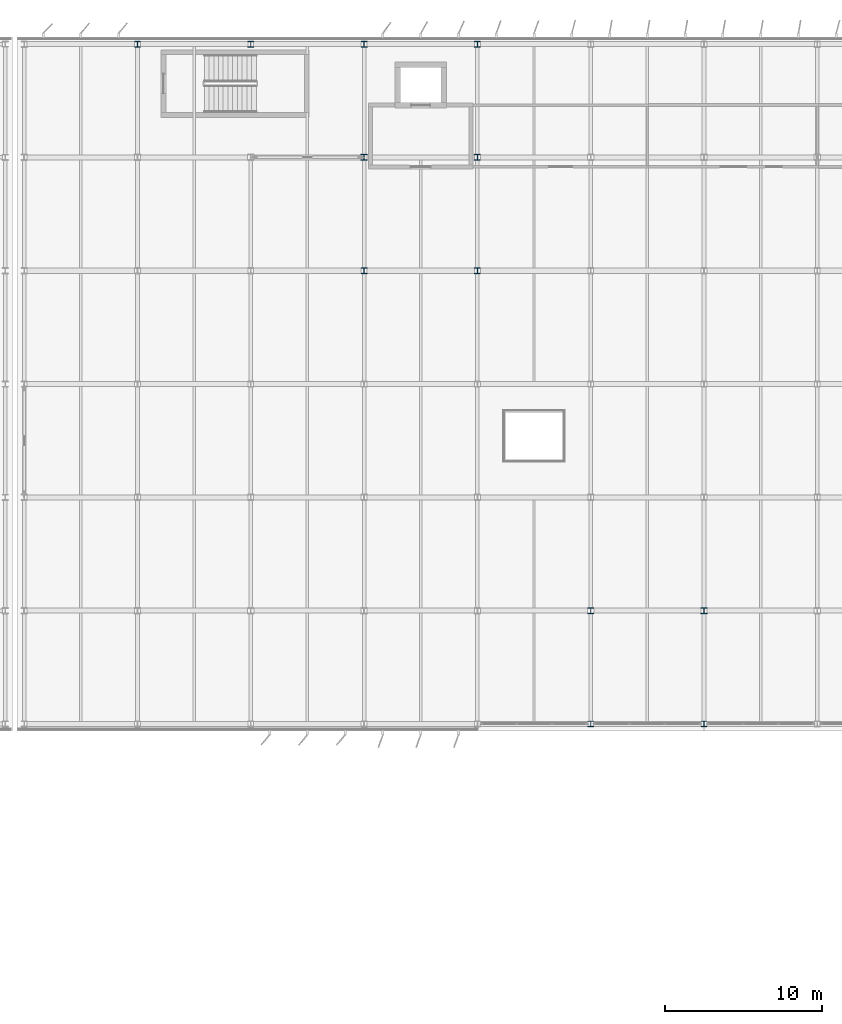
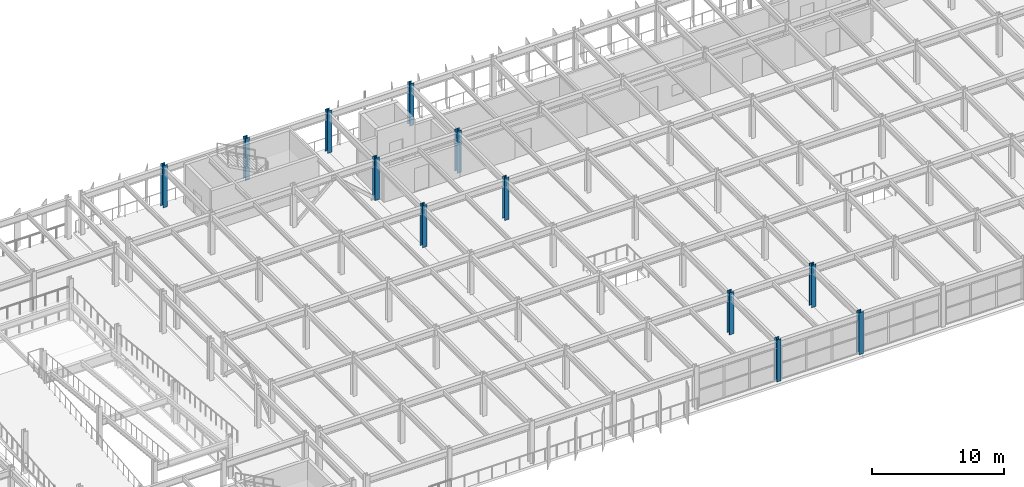
# One storey, part 4 of 80: 12 columns.
"""IFC4 building model written with IfcOpenShell, lengths in metres."""

from ifc_helpers import new_model, si_unit, direction, frame, origin, origin_2d, place, context, subcontext, project, spatial, i_section, extrude, material, material_profile, profile_set, type_object, element, save


model = new_model("IFC4")

# Units and contexts
model_context = context("Model", 3, precision=1e-05, world=origin(), true_north=direction((0.0, 1.0)))
body_context = subcontext(model_context, "Body", "Model", "MODEL_VIEW")
ifc_project = project(units=[si_unit("LENGTHUNIT", "METRE"), si_unit("AREAUNIT", "SQUARE_METRE"), si_unit("VOLUMEUNIT", "CUBIC_METRE"), si_unit("PLANEANGLEUNIT", "RADIAN"), si_unit("MASSUNIT", "GRAM", prefix="KILO")], contexts=[model_context])

# Site, building, storey
site_placement = place(None, origin())
site = spatial("IfcSite", under=ifc_project, at=site_placement, CompositionType="ELEMENT")
building_placement = place(site_placement, origin())
building = spatial("IfcBuilding", under=site, at=building_placement, Name="Vaelcorin Mobility Hub", CompositionType="ELEMENT")
storey_placement = place(building_placement, frame((0.0, 0.0, 9.300048828125)))
storey = spatial("IfcBuildingStorey", under=building, at=storey_placement, Name="L02", CompositionType="ELEMENT", Elevation=9.300048828125)

# Columns
ifc_material = material(Name="Steel ASTM A992 Grade 50", Category="steel")
ifc_material_profile_1 = material_profile(ifc_material, i_section(OverallWidth=0.373046875, OverallDepth=0.373046875, WebThickness=0.016357421875, FlangeThickness=0.026123046875, FilletRadius=0.014892578125, at=origin_2d()), Name="W14X132")
ifc_profile_set_1 = profile_set([ifc_material_profile_1], Name="Steel ASTM A992 Grade 50")
column_type_1 = type_object("IfcColumnType", Name="COL-W14X132", PredefinedType="COLUMN", material=ifc_profile_set_1)
for number, where, z_axis, x_axis, name in (
    (1, (43.199951171875, 120.0, 0.0), (0.0, 0.0, 1.0), (1.0, 0.0, 0.0), "Column V4-X02Y07 L02"),
    (2, (50.39990234375, 120.0, 0.0), (0.0, 0.0, 1.0), (1.0, 0.0, 0.0), "Column V4-X03Y07 L02"),
    (3, (57.60009765625, 105.60009765625, 0.0), (0.0, 0.0, 1.0), (1.0, 0.0, 0.0), "Column V4-X04Y05 L02"),
    (4, (57.60009765625, 120.0, 0.0), (0.0, 0.0, 1.0), (1.0, 0.0, 0.0), "Column V4-X04Y07 L02"),
    (5, (64.800048828125, 105.60009765625, 0.0), (0.0, 0.0, 1.0), (1.0, 0.0, 0.0), "Column V4-X05Y05 L02"),
    (6, (64.800048828125, 120.0, 0.0), (0.0, 0.0, 1.0), (1.0, 0.0, 0.0), "Column V4-X05Y07 L02"),
    (7, (72.0, 76.800048828125, 0.0), (0.0, 0.0, 1.0), (1.0, 0.0, 0.0), "Column V4-X06Y01 L02"),
    (8, (79.199951171875, 76.800048828125, 0.0), (0.0, 0.0, 1.0), (1.0, 0.0, 0.0), "Column V4-X07Y01 L02"),
):
    element("IfcColumn", number, at=place(storey_placement, frame(where, z_axis=z_axis, x_axis=x_axis)), inside=storey, type_object=column_type_1, Name=name, PredefinedType="COLUMN", context=body_context, shape_type="SweptSolid", body=[
        extrude(i_section(OverallWidth=0.373046875, OverallDepth=0.373046875, WebThickness=0.016357421875, FlangeThickness=0.026123046875, FilletRadius=0.014892578125, at=origin_2d()), origin(), (0.0, 0.0, 1.0), 3.89990234375),
    ])
ifc_material_profile_2 = material_profile(ifc_material, i_section(OverallWidth=0.39599609375, OverallDepth=0.381103515625, WebThickness=0.018798828125, FlangeThickness=0.0302734375, FilletRadius=0.014892578125, at=origin_2d()), Name="W14X159")
ifc_profile_set_2 = profile_set([ifc_material_profile_2], Name="Steel ASTM A992 Grade 50")
column_type_2 = type_object("IfcColumnType", Name="COL-W14X159", PredefinedType="COLUMN", material=ifc_profile_set_2)
for number, where, z_axis, x_axis, name in (
    (9, (57.60009765625, 112.800048828125, 0.0), (0.0, 0.0, 1.0), (1.0, 0.0, 0.0), "Column V4-X04Y06 L02"),
    (10, (64.800048828125, 112.800048828125, 0.0), (0.0, 0.0, 1.0), (1.0, 0.0, 0.0), "Column V4-X05Y06 L02"),
    (11, (72.0, 84.0, 0.0), (0.0, 0.0, 1.0), (1.0, 0.0, 0.0), "Column V4-X06Y02 L02"),
    (12, (79.199951171875, 84.0, 0.0), (0.0, 0.0, 1.0), (1.0, 0.0, 0.0), "Column V4-X07Y02 L02"),
):
    element("IfcColumn", number, at=place(storey_placement, frame(where, z_axis=z_axis, x_axis=x_axis)), inside=storey, type_object=column_type_2, Name=name, PredefinedType="COLUMN", context=body_context, shape_type="SweptSolid", body=[
        extrude(i_section(OverallWidth=0.39599609375, OverallDepth=0.381103515625, WebThickness=0.018798828125, FlangeThickness=0.0302734375, FilletRadius=0.014892578125, at=origin_2d()), origin(), (0.0, 0.0, 1.0), 3.89990234375),
    ])

save(model, "model.ifc")
